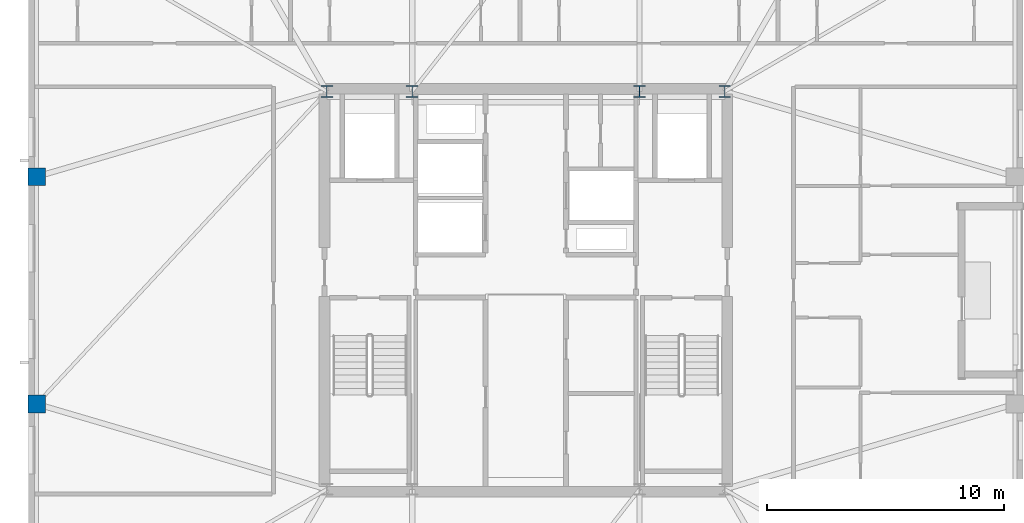
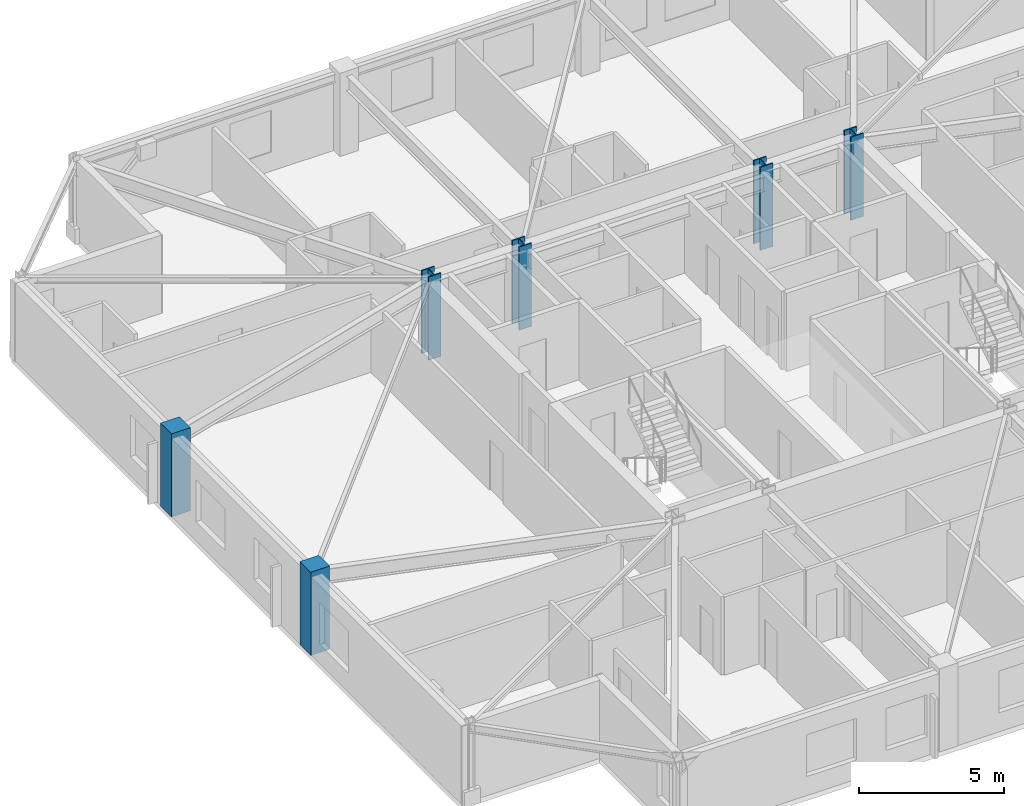
# One storey, part 2 of 15: 6 columns.
"""IFC4 building model written with IfcOpenShell, lengths in metres."""

from ifc_helpers import new_model, si_unit, direction, frame, origin, origin_2d, place, context, subcontext, project, spatial, rectangle, i_section, extrude, material, material_profile, profile_set, type_object, element, save


model = new_model("IFC4")

# Units and contexts
model_context = context("Model", 3, precision=1e-05, world=origin(), true_north=direction((0.0, 1.0)))
body_context = subcontext(model_context, "Body", "Model", "MODEL_VIEW")
ifc_project = project(units=[si_unit("LENGTHUNIT", "METRE"), si_unit("AREAUNIT", "SQUARE_METRE"), si_unit("VOLUMEUNIT", "CUBIC_METRE"), si_unit("PLANEANGLEUNIT", "RADIAN"), si_unit("MASSUNIT", "GRAM", prefix="KILO")], contexts=[model_context])

# Site, building, storey
site_placement = place(None, origin())
site = spatial("IfcSite", under=ifc_project, at=site_placement, CompositionType="ELEMENT")
building_placement = place(site_placement, origin())
building = spatial("IfcBuilding", under=site, at=building_placement, Name="Cairnveth Concourse Tower", CompositionType="ELEMENT")
storey_placement = place(building_placement, frame((0.0, 0.0, 305.0)))
storey = spatial("IfcBuildingStorey", under=building, at=storey_placement, Name="L84", CompositionType="ELEMENT", Elevation=305.0)

# Columns
ifc_material_1 = material(Name="Concrete N50 (50 MPa)", Category="concrete")
ifc_material_profile_1 = material_profile(ifc_material_1, rectangle(XDim=0.75, YDim=0.75, at=origin_2d()), Name="RC-COL-750x750")
ifc_profile_set_1 = profile_set([ifc_material_profile_1], Name="Concrete N50 (50 MPa)")
column_type_1 = type_object("IfcColumnType", Name="PERIMETER PIER COLUMN 750X750", PredefinedType="COLUMN", material=ifc_profile_set_1)
for number, where, z_axis, x_axis, name in (
    (1, (31.35009765625, 43.800048828125, 0.0), (0.0, 0.0, 1.0), (0.0, 1.0, 0.0), "Column P-W2 L84"),
    (2, (31.35009765625, 34.199951171875, 0.0), (0.0, 0.0, 1.0), (0.0, 1.0, 0.0), "Column P-W3 L84"),
):
    element("IfcColumn", number, at=place(storey_placement, frame(where, z_axis=z_axis, x_axis=x_axis)), inside=storey, type_object=column_type_1, Name=name, PredefinedType="COLUMN", context=body_context, shape_type="SweptSolid", body=[
        extrude(rectangle(XDim=0.75, YDim=0.75, at=origin_2d()), origin(), (0.0, 0.0, 1.0), 3.5),
    ])
ifc_material_2 = material(Name="Steel Grade 350", Category="steel")
ifc_material_profile_2 = material_profile(ifc_material_2, i_section(OverallWidth=0.5, OverallDepth=0.5, WebThickness=0.028076171875, FlangeThickness=0.044921875, at=origin_2d()), Name="500WC383")
ifc_profile_set_2 = profile_set([ifc_material_profile_2], Name="Steel Grade 350")
column_type_2 = type_object("IfcColumnType", Name="WELDED STEEL COLUMN 500WC383", PredefinedType="COLUMN", material=ifc_profile_set_2)
for number, where, z_axis, x_axis, name in (
    (3, (43.60009765625, 47.39990234375, 0.0), (0.0, 0.0, 1.0), (1.0, 0.0, 0.0), "Column CC5 L84"),
    (4, (47.199951171875, 47.39990234375, 0.0), (0.0, 0.0, 1.0), (1.0, 0.0, 0.0), "Column CC6 L84"),
    (5, (56.800048828125, 47.39990234375, 0.0), (0.0, 0.0, 1.0), (1.0, 0.0, 0.0), "Column CC7 L84"),
    (6, (60.39990234375, 47.39990234375, 0.0), (0.0, 0.0, 1.0), (1.0, 0.0, 0.0), "Column CC8 L84"),
):
    element("IfcColumn", number, at=place(storey_placement, frame(where, z_axis=z_axis, x_axis=x_axis)), inside=storey, type_object=column_type_2, Name=name, PredefinedType="COLUMN", context=body_context, shape_type="SweptSolid", body=[
        extrude(i_section(OverallWidth=0.5, OverallDepth=0.5, WebThickness=0.028076171875, FlangeThickness=0.044921875, at=origin_2d()), origin(), (0.0, 0.0, 1.0), 3.5),
    ])

save(model, "model.ifc")
